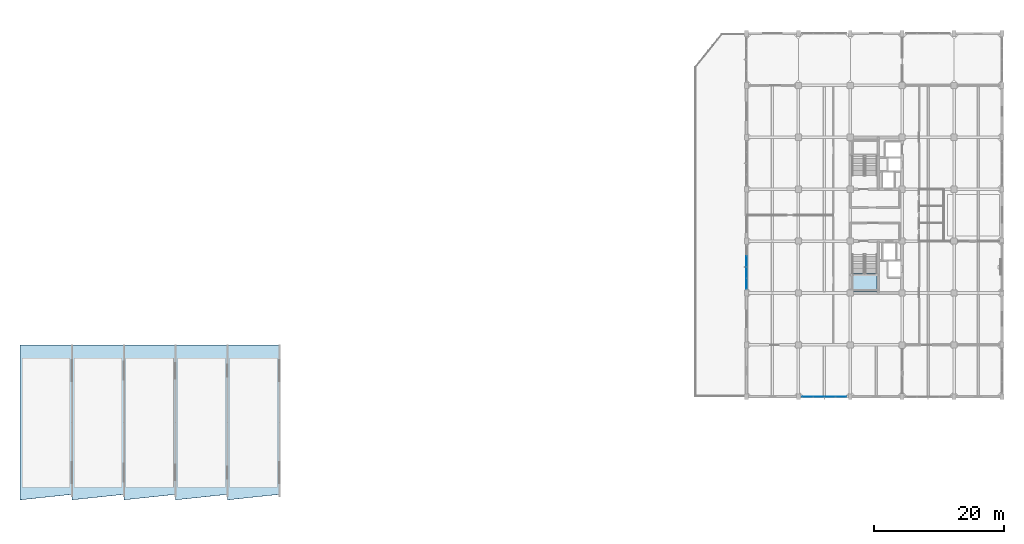
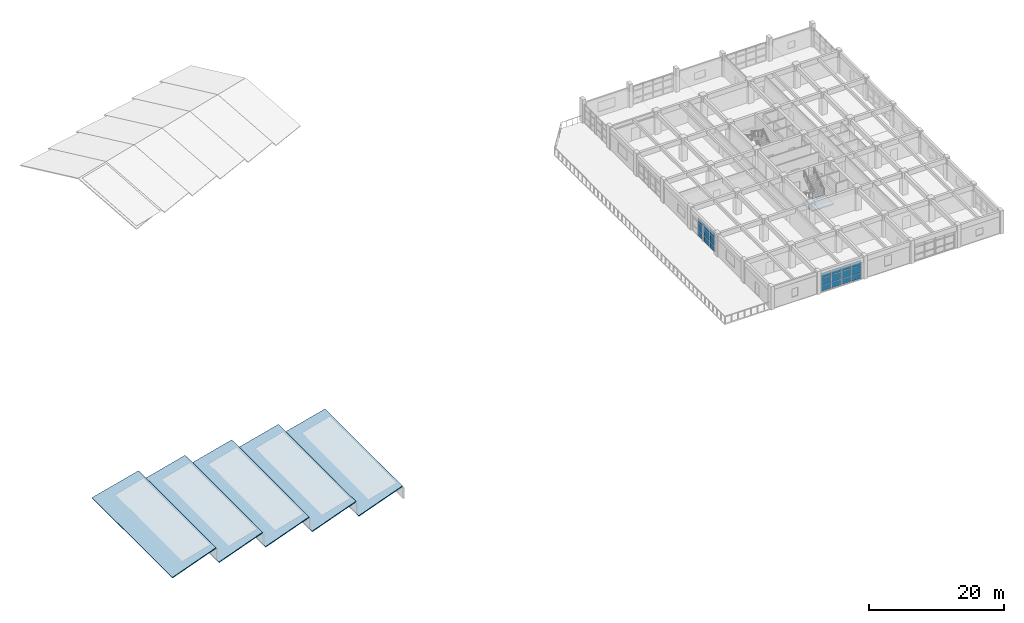
# One storey, part 21 of 35: 21 plates, 6 slabs, 3 elements without a shape of their own.
"""IFC4 building model written with IfcOpenShell, lengths in metres."""

from ifc_helpers import new_model, si_unit, direction, frame, origin, origin_2d, place, context, subcontext, project, spatial, polyline, rectangle, outline, extrude, material, layer, layer_set, type_object, element, aggregate, save


model = new_model("IFC4")

# Units and contexts
model_context = context("Model", 3, precision=1e-05, world=origin(), true_north=direction((0.0, 1.0)))
body_context = subcontext(model_context, "Body", "Model", "MODEL_VIEW")
ifc_project = project(units=[si_unit("LENGTHUNIT", "METRE"), si_unit("AREAUNIT", "SQUARE_METRE"), si_unit("VOLUMEUNIT", "CUBIC_METRE"), si_unit("PLANEANGLEUNIT", "RADIAN"), si_unit("MASSUNIT", "GRAM", prefix="KILO")], contexts=[model_context])

# Site, building, storey
site_placement = place(None, origin())
site = spatial("IfcSite", under=ifc_project, at=site_placement, CompositionType="ELEMENT")
building_placement = place(site_placement, origin())
building = spatial("IfcBuilding", under=site, at=building_placement, Name="Canggui Botanical Conservatory", CompositionType="ELEMENT")
storey_placement = place(building_placement, frame((0.0, 0.0, 15.0)))
storey = spatial("IfcBuildingStorey", under=building, at=storey_placement, Name="L04", CompositionType="ELEMENT", Elevation=15.0)

# Curtain wall, plates
ifc_material_1 = material(Name="Thermally Broken Aluminium", Category="aluminium")
ifc_layer_1 = layer(ifc_material_1, 0.179931640625, Name="Thermally Broken Aluminium", Category="aluminium")
ifc_layer_set_1 = layer_set([ifc_layer_1], Name="Thermally Broken Aluminium")
curtain_wall_type = type_object("IfcCurtainWallType", Name="CW-UNIT-A", PredefinedType="USERDEFINED", material=ifc_layer_set_1)
curtain_wall_1_placement = place(storey_placement, origin())
curtain_wall_1 = element("IfcCurtainWall", 1, at=curtain_wall_1_placement, inside=storey, type_object=curtain_wall_type, Name="Facade Curtain Wall CW-TWR-L04-04", ObjectType="UNITISED CURTAIN WALL", PredefinedType="USERDEFINED")
ifc_material_2 = material(Name="Low-E Insulated Glass", Category="glass")
ifc_layer_2 = layer(ifc_material_2, 0.02587890625, Name="Low-E Insulated Glass", Category="glass")
ifc_layer_set_2 = layer_set([ifc_layer_2], Name="Low-E Insulated Glass")
plate_type = type_object("IfcPlateType", Name="CWP-01", PredefinedType="CURTAIN_PANEL", material=ifc_layer_set_2)
plate_1_placement = place(storey_placement, frame((152.5625, 26.0, 0.06494140625), z_axis=(0.0, 0.0, 1.0), x_axis=(-1.0, 0.0, 0.0)))
plate_1 = element("IfcPlate", 2, at=plate_1_placement, type_object=plate_type, Name="CW-01 panel 1.1", PredefinedType="CURTAIN_PANEL", context=body_context, shape_type="SweptSolid", body=[
    extrude(rectangle(XDim=1.614990234375, YDim=0.02587890625, at=origin_2d()), origin(), (0.0, 0.0, 1.0), 0.990478515625),
])
plate_2_placement = place(storey_placement, frame((152.5625, 26.0, 1.12060546875), z_axis=(0.0, 0.0, 1.0), x_axis=(-1.0, 0.0, 0.0)))
plate_2 = element("IfcPlate", 3, at=plate_2_placement, type_object=plate_type, Name="CW-01 panel 1.2", PredefinedType="CURTAIN_PANEL", context=body_context, shape_type="SweptSolid", body=[
    extrude(rectangle(XDim=1.614990234375, YDim=0.02587890625, at=origin_2d()), origin(), (0.0, 0.0, 1.0), 1.294921875),
])
plate_3_placement = place(storey_placement, frame((152.5625, 26.0, 2.48046875), z_axis=(0.0, 0.0, 1.0), x_axis=(-1.0, 0.0, 0.0)))
plate_3 = element("IfcPlate", 4, at=plate_3_placement, type_object=plate_type, Name="CW-01 panel 1.3", PredefinedType="CURTAIN_PANEL", context=body_context, shape_type="SweptSolid", body=[
    extrude(rectangle(XDim=1.614990234375, YDim=0.02587890625, at=origin_2d()), origin(), (0.0, 0.0, 1.0), 0.8544921875),
])
plate_4_placement = place(storey_placement, frame((150.860107421875, 26.0, 0.06494140625), z_axis=(0.0, 0.0, 1.0), x_axis=(-1.0, 0.0, 0.0)))
plate_4 = element("IfcPlate", 5, at=plate_4_placement, type_object=plate_type, Name="CW-01 panel 2.1", PredefinedType="CURTAIN_PANEL", context=body_context, shape_type="SweptSolid", body=[
    extrude(rectangle(XDim=1.64990234375, YDim=0.02587890625, at=origin_2d()), origin(), (0.0, 0.0, 1.0), 0.990478515625),
])
plate_5_placement = place(storey_placement, frame((150.860107421875, 26.0, 1.12060546875), z_axis=(0.0, 0.0, 1.0), x_axis=(-1.0, 0.0, 0.0)))
plate_5 = element("IfcPlate", 6, at=plate_5_placement, type_object=plate_type, Name="CW-01 panel 2.2", PredefinedType="CURTAIN_PANEL", context=body_context, shape_type="SweptSolid", body=[
    extrude(rectangle(XDim=1.64990234375, YDim=0.02587890625, at=origin_2d()), origin(), (0.0, 0.0, 1.0), 1.294921875),
])
plate_6_placement = place(storey_placement, frame((150.860107421875, 26.0, 2.48046875), z_axis=(0.0, 0.0, 1.0), x_axis=(-1.0, 0.0, 0.0)))
plate_6 = element("IfcPlate", 7, at=plate_6_placement, type_object=plate_type, Name="CW-01 panel 2.3", PredefinedType="CURTAIN_PANEL", context=body_context, shape_type="SweptSolid", body=[
    extrude(rectangle(XDim=1.64990234375, YDim=0.02587890625, at=origin_2d()), origin(), (0.0, 0.0, 1.0), 0.8544921875),
])
plate_7_placement = place(storey_placement, frame((149.139892578125, 26.0, 0.06494140625), z_axis=(0.0, 0.0, 1.0), x_axis=(-1.0, 0.0, 0.0)))
plate_7 = element("IfcPlate", 8, at=plate_7_placement, type_object=plate_type, Name="CW-01 panel 3.1", PredefinedType="CURTAIN_PANEL", context=body_context, shape_type="SweptSolid", body=[
    extrude(rectangle(XDim=1.64990234375, YDim=0.02587890625, at=origin_2d()), origin(), (0.0, 0.0, 1.0), 0.990478515625),
])
plate_8_placement = place(storey_placement, frame((149.139892578125, 26.0, 1.12060546875), z_axis=(0.0, 0.0, 1.0), x_axis=(-1.0, 0.0, 0.0)))
plate_8 = element("IfcPlate", 9, at=plate_8_placement, type_object=plate_type, Name="CW-01 panel 3.2", PredefinedType="CURTAIN_PANEL", context=body_context, shape_type="SweptSolid", body=[
    extrude(rectangle(XDim=1.64990234375, YDim=0.02587890625, at=origin_2d()), origin(), (0.0, 0.0, 1.0), 1.294921875),
])
plate_9_placement = place(storey_placement, frame((149.139892578125, 26.0, 2.48046875), z_axis=(0.0, 0.0, 1.0), x_axis=(-1.0, 0.0, 0.0)))
plate_9 = element("IfcPlate", 10, at=plate_9_placement, type_object=plate_type, Name="CW-01 panel 3.3", PredefinedType="CURTAIN_PANEL", context=body_context, shape_type="SweptSolid", body=[
    extrude(rectangle(XDim=1.64990234375, YDim=0.02587890625, at=origin_2d()), origin(), (0.0, 0.0, 1.0), 0.8544921875),
])
plate_10_placement = place(storey_placement, frame((147.4375, 26.0, 0.06494140625), z_axis=(0.0, 0.0, 1.0), x_axis=(-1.0, 0.0, 0.0)))
plate_10 = element("IfcPlate", 11, at=plate_10_placement, type_object=plate_type, Name="CW-01 panel 4.1", PredefinedType="CURTAIN_PANEL", context=body_context, shape_type="SweptSolid", body=[
    extrude(rectangle(XDim=1.614990234375, YDim=0.02587890625, at=origin_2d()), origin(), (0.0, 0.0, 1.0), 0.990478515625),
])
plate_11_placement = place(storey_placement, frame((147.4375, 26.0, 1.12060546875), z_axis=(0.0, 0.0, 1.0), x_axis=(-1.0, 0.0, 0.0)))
plate_11 = element("IfcPlate", 12, at=plate_11_placement, type_object=plate_type, Name="CW-01 panel 4.2", PredefinedType="CURTAIN_PANEL", context=body_context, shape_type="SweptSolid", body=[
    extrude(rectangle(XDim=1.614990234375, YDim=0.02587890625, at=origin_2d()), origin(), (0.0, 0.0, 1.0), 1.294921875),
])
plate_12_placement = place(storey_placement, frame((147.4375, 26.0, 2.48046875), z_axis=(0.0, 0.0, 1.0), x_axis=(-1.0, 0.0, 0.0)))
plate_12 = element("IfcPlate", 13, at=plate_12_placement, type_object=plate_type, Name="CW-01 panel 4.3", PredefinedType="CURTAIN_PANEL", context=body_context, shape_type="SweptSolid", body=[
    extrude(rectangle(XDim=1.614990234375, YDim=0.02587890625, at=origin_2d()), origin(), (0.0, 0.0, 1.0), 0.8544921875),
])
aggregate(curtain_wall_1, [plate_1, plate_2, plate_3, plate_4, plate_5, plate_6, plate_7, plate_8, plate_9, plate_10, plate_11, plate_12])

curtain_wall_2_placement = place(storey_placement, origin())
curtain_wall_2 = element("IfcCurtainWall", 14, at=curtain_wall_2_placement, inside=storey, type_object=curtain_wall_type, Name="Facade Curtain Wall CW-TWR-L04-08", ObjectType="UNITISED CURTAIN WALL", PredefinedType="USERDEFINED")
plate_13_placement = place(storey_placement, frame((138.0, 43.4375, 0.06494140625), z_axis=(0.0, 0.0, 1.0), x_axis=(0.0, 1.0, 0.0)))
plate_13 = element("IfcPlate", 15, at=plate_13_placement, type_object=plate_type, Name="CW-01 panel 1.1", PredefinedType="CURTAIN_PANEL", context=body_context, shape_type="SweptSolid", body=[
    extrude(rectangle(XDim=1.614990234375, YDim=0.02587890625, at=origin_2d()), origin(), (0.0, 0.0, 1.0), 0.990478515625),
])
plate_14_placement = place(storey_placement, frame((138.0, 43.4375, 1.12060546875), z_axis=(0.0, 0.0, 1.0), x_axis=(0.0, 1.0, 0.0)))
plate_14 = element("IfcPlate", 16, at=plate_14_placement, type_object=plate_type, Name="CW-01 panel 1.2", PredefinedType="CURTAIN_PANEL", context=body_context, shape_type="SweptSolid", body=[
    extrude(rectangle(XDim=1.614990234375, YDim=0.02587890625, at=origin_2d()), origin(), (0.0, 0.0, 1.0), 1.294921875),
])
plate_15_placement = place(storey_placement, frame((138.0, 43.4375, 2.48046875), z_axis=(0.0, 0.0, 1.0), x_axis=(0.0, 1.0, 0.0)))
plate_15 = element("IfcPlate", 17, at=plate_15_placement, type_object=plate_type, Name="CW-01 panel 1.3", PredefinedType="CURTAIN_PANEL", context=body_context, shape_type="SweptSolid", body=[
    extrude(rectangle(XDim=1.614990234375, YDim=0.02587890625, at=origin_2d()), origin(), (0.0, 0.0, 1.0), 0.8544921875),
])
plate_16_placement = place(storey_placement, frame((138.0, 45.139892578125, 0.06494140625), z_axis=(0.0, 0.0, 1.0), x_axis=(0.0, 1.0, 0.0)))
plate_16 = element("IfcPlate", 18, at=plate_16_placement, type_object=plate_type, Name="CW-01 panel 2.1", PredefinedType="CURTAIN_PANEL", context=body_context, shape_type="SweptSolid", body=[
    extrude(rectangle(XDim=1.64990234375, YDim=0.02587890625, at=origin_2d()), origin(), (0.0, 0.0, 1.0), 0.990478515625),
])
plate_17_placement = place(storey_placement, frame((138.0, 45.139892578125, 1.12060546875), z_axis=(0.0, 0.0, 1.0), x_axis=(0.0, 1.0, 0.0)))
plate_17 = element("IfcPlate", 19, at=plate_17_placement, type_object=plate_type, Name="CW-01 panel 2.2", PredefinedType="CURTAIN_PANEL", context=body_context, shape_type="SweptSolid", body=[
    extrude(rectangle(XDim=1.64990234375, YDim=0.02587890625, at=origin_2d()), origin(), (0.0, 0.0, 1.0), 1.294921875),
])
plate_18_placement = place(storey_placement, frame((138.0, 45.139892578125, 2.48046875), z_axis=(0.0, 0.0, 1.0), x_axis=(0.0, 1.0, 0.0)))
plate_18 = element("IfcPlate", 20, at=plate_18_placement, type_object=plate_type, Name="CW-01 panel 2.3", PredefinedType="CURTAIN_PANEL", context=body_context, shape_type="SweptSolid", body=[
    extrude(rectangle(XDim=1.64990234375, YDim=0.02587890625, at=origin_2d()), origin(), (0.0, 0.0, 1.0), 0.8544921875),
])
plate_19_placement = place(storey_placement, frame((138.0, 46.860107421875, 0.06494140625), z_axis=(0.0, 0.0, 1.0), x_axis=(0.0, 1.0, 0.0)))
plate_19 = element("IfcPlate", 21, at=plate_19_placement, type_object=plate_type, Name="CW-01 panel 3.1", PredefinedType="CURTAIN_PANEL", context=body_context, shape_type="SweptSolid", body=[
    extrude(rectangle(XDim=1.64990234375, YDim=0.02587890625, at=origin_2d()), origin(), (0.0, 0.0, 1.0), 0.990478515625),
])
plate_20_placement = place(storey_placement, frame((138.0, 46.860107421875, 1.12060546875), z_axis=(0.0, 0.0, 1.0), x_axis=(0.0, 1.0, 0.0)))
plate_20 = element("IfcPlate", 22, at=plate_20_placement, type_object=plate_type, Name="CW-01 panel 3.2", PredefinedType="CURTAIN_PANEL", context=body_context, shape_type="SweptSolid", body=[
    extrude(rectangle(XDim=1.64990234375, YDim=0.02587890625, at=origin_2d()), origin(), (0.0, 0.0, 1.0), 1.294921875),
])
plate_21_placement = place(storey_placement, frame((138.0, 46.860107421875, 2.48046875), z_axis=(0.0, 0.0, 1.0), x_axis=(0.0, 1.0, 0.0)))
plate_21 = element("IfcPlate", 23, at=plate_21_placement, type_object=plate_type, Name="CW-01 panel 3.3", PredefinedType="CURTAIN_PANEL", context=body_context, shape_type="SweptSolid", body=[
    extrude(rectangle(XDim=1.64990234375, YDim=0.02587890625, at=origin_2d()), origin(), (0.0, 0.0, 1.0), 0.8544921875),
])
aggregate(curtain_wall_2, [plate_13, plate_14, plate_15, plate_16, plate_17, plate_18, plate_19, plate_20, plate_21])

# Stair, slab
ifc_material_3 = material(Name="Concrete C35", Category="concrete")
stair_type = type_object("IfcStairType", Name="STR-TYPE-6", PredefinedType="HALF_TURN_STAIR", material=ifc_material_3)
stair_placement = place(storey_placement, origin())
stair = element("IfcStair", 24, at=stair_placement, inside=storey, type_object=stair_type, Name="L04 Tower South Smoke-Proof Stair ST-T1", PredefinedType="HALF_TURN_STAIR")
ifc_layer_3 = layer(ifc_material_3, 0.199951171875, Name="Concrete C35", Category="concrete")
ifc_layer_set_3 = layer_set([ifc_layer_3], Name="Concrete C35")
slab_type_1 = type_object("IfcSlabType", Name="SLAB-LND-200", PredefinedType="LANDING", material=ifc_layer_set_3)
slab_placement = place(storey_placement, frame((0.0, 0.0, 1.89990234375)))
slab = element("IfcSlab", 25, at=slab_placement, type_object=slab_type_1, Name="ST-T1 landing 1", PredefinedType="LANDING", context=body_context, shape_type="SweptSolid", body=[
    extrude(outline(polyline([(154.300048828125, 44.972412109375), (154.300048828125, 42.260009765625), (158.1201171875, 42.260009765625), (158.1201171875, 44.972412109375), (154.300048828125, 44.972412109375)])), origin(), (0.0, 0.0, 1.0), 0.2001953125),
])
aggregate(stair, [slab])

# Slabs
ifc_layer_4 = layer(ifc_material_3, 0.159912109375, Name="Concrete C35", Category="concrete")
ifc_layer_set_4 = layer_set([ifc_layer_4], Name="Concrete C35")
slab_type_2 = type_object("IfcSlabType", Name="SLAB-R160", PredefinedType="ROOF", material=ifc_layer_set_4)
for number, where, z_axis, x_axis, name in (
    (26, (26.0, 10.10009765625, 0.0), (-0.25390917425, 0.0, 0.967228065779), (0.962162329892, 0.102212129833, 0.252579356742), "Visitor Centre Sawtooth Roof Bay 1"),
    (27, (34.0, 10.10009765625, 0.0), (-0.25390917425, 0.0, 0.967228065779), (0.962162329892, 0.102212129833, 0.252579356742), "Visitor Centre Sawtooth Roof Bay 2"),
    (28, (42.0, 10.10009765625, 0.0), (-0.25390917425, 0.0, 0.967228065779), (0.962162329892, 0.102212129833, 0.252579356742), "Visitor Centre Sawtooth Roof Bay 3"),
    (29, (50.0, 10.10009765625, 0.0), (-0.25390917425, 0.0, 0.967228065779), (0.962162329892, 0.102212129833, 0.252579356742), "Visitor Centre Sawtooth Roof Bay 4"),
    (30, (58.0, 10.10009765625, 0.0), (-0.25390917425, 0.0, 0.967228065779), (0.962162329892, 0.102212129833, 0.252579356742), "Visitor Centre Sawtooth Roof Bay 5"),
):
    element("IfcSlab", number, at=place(storey_placement, frame(where, z_axis=z_axis, x_axis=x_axis)), inside=storey, type_object=slab_type_2, Name=name, PredefinedType="ROOF", context=body_context, shape_type="SweptSolid", body=[
        extrude(outline(polyline([(0.0, 0.0), (8.314605292123428, 6.245004513516506e-17), (10.670599875590561, 22.929327083488957), (2.4428599213448505, 23.7747295977362), (0.0, 0.0)])), origin(), (0.0, 0.0, -1.0), 0.159912109375),
    ])

save(model, "model.ifc")
